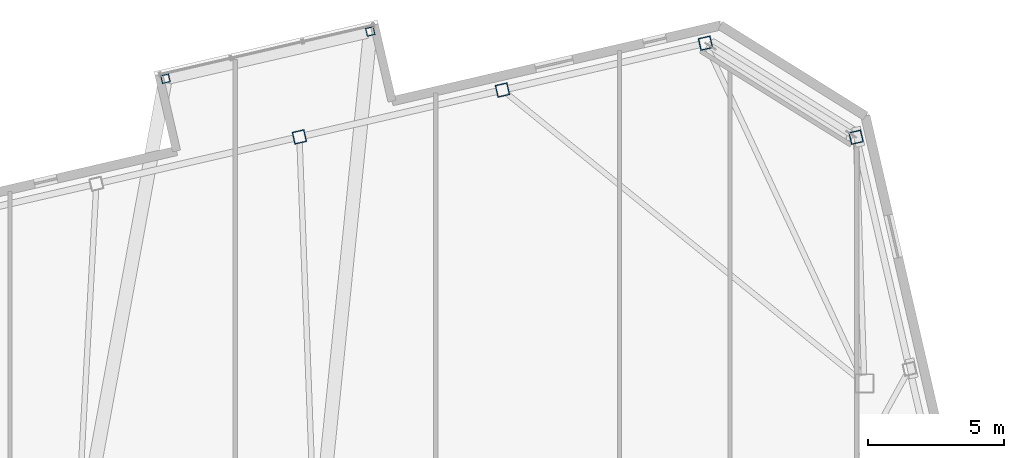
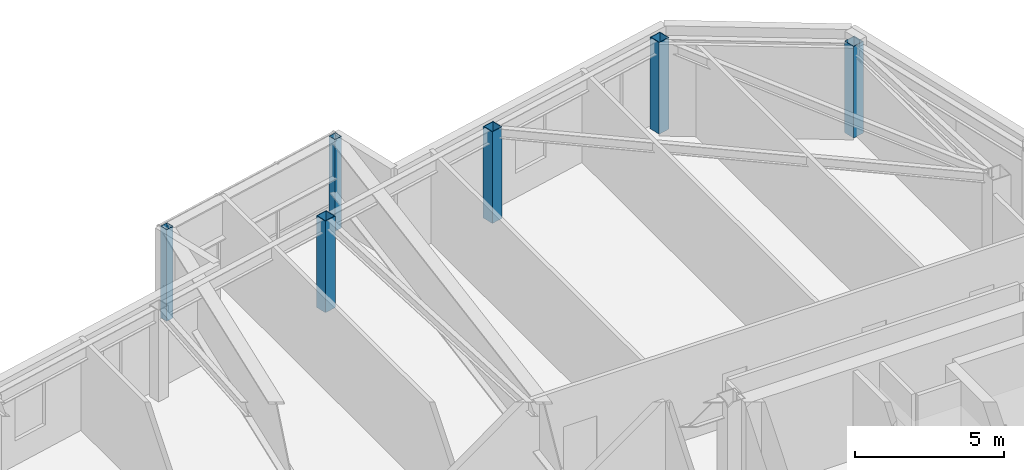
# One storey, part 3 of 24: 6 columns.
"""IFC4 building model written with IfcOpenShell, lengths in metres."""

from ifc_helpers import new_model, si_unit, direction, frame, origin, origin_2d, place, context, subcontext, project, spatial, hollow_rectangle, extrude, material, material_profile, profile_set, type_object, element, save


model = new_model("IFC4")

# Units and contexts
model_context = context("Model", 3, precision=1e-05, world=origin(), true_north=direction((0.0, 1.0)))
body_context = subcontext(model_context, "Body", "Model", "MODEL_VIEW")
ifc_project = project(units=[si_unit("LENGTHUNIT", "METRE"), si_unit("AREAUNIT", "SQUARE_METRE"), si_unit("VOLUMEUNIT", "CUBIC_METRE"), si_unit("PLANEANGLEUNIT", "RADIAN"), si_unit("MASSUNIT", "GRAM", prefix="KILO")], contexts=[model_context])

# Site, building, storey
site_placement = place(None, origin())
site = spatial("IfcSite", under=ifc_project, at=site_placement, CompositionType="ELEMENT")
building_placement = place(site_placement, origin())
building = spatial("IfcBuilding", under=site, at=building_placement, Name="Tavrogorsk Clinical Tower", CompositionType="ELEMENT")
storey_placement = place(building_placement, frame((0.0, 0.0, 309.0)))
storey = spatial("IfcBuildingStorey", under=building, at=storey_placement, Name="L72", CompositionType="ELEMENT", Elevation=309.0)

# Columns
ifc_material_1 = material(Name="Structural steel S390", Category="steel")
ifc_material_profile_1 = material_profile(ifc_material_1, hollow_rectangle(XDim=0.300048828125, YDim=0.300048828125, WallThickness=0.01611328125, at=origin_2d()), Name="SHS-300x300x16")
ifc_profile_set_1 = profile_set([ifc_material_profile_1], Name="Structural steel S390")
column_type_1 = type_object("IfcColumnType", Name="DayroomCol_SHS300", PredefinedType="COLUMN", material=ifc_profile_set_1)
for number, where, z_axis, x_axis, name in (
    (1, (-1.10205078125, 24.362548828125, 0.0), (0.0, 0.0, 1.0), (0.974370064785, 0.224951054344, 0.0), "L72 Day-Room Box Column DRB-10-L"),
    (2, (6.400634765625, 26.0947265625, 0.0), (0.0, 0.0, 1.0), (0.974370064785, 0.224951054344, 0.0), "L72 Day-Room Box Column DRB-10-R"),
):
    element("IfcColumn", number, at=place(storey_placement, frame(where, z_axis=z_axis, x_axis=x_axis)), inside=storey, type_object=column_type_1, Name=name, PredefinedType="COLUMN", context=body_context, shape_type="SweptSolid", body=[
        extrude(hollow_rectangle(XDim=0.300048828125, YDim=0.300048828125, WallThickness=0.01611328125, at=origin_2d()), origin(), (0.0, 0.0, 1.0), 3.739990234375),
    ])
ifc_material_2 = material(Name="Structural steel S440", Category="steel")
ifc_material_profile_2 = material_profile(ifc_material_2, hollow_rectangle(XDim=0.449951171875, YDim=0.449951171875, WallThickness=0.02197265625, at=origin_2d()), Name="BOX-450x450x22")
ifc_profile_set_2 = profile_set([ifc_material_profile_2], Name="Structural steel S440")
column_type_2 = type_object("IfcColumnType", Name="PerimCol_B5_BOX450", PredefinedType="COLUMN", material=ifc_profile_set_2)
for number, where, z_axis, x_axis, name in (
    (3, (18.681640625, 25.666259765625, 0.0), (0.0, 0.0, 1.0), (0.974370064785, 0.224951054344, 0.0), "L72 Perimeter Column N1"),
    (4, (11.2431640625, 23.948974609375, 0.0), (0.0, 0.0, 1.0), (0.974370064785, 0.224951054344, 0.0), "L72 Perimeter Column N2"),
    (5, (3.804443359375, 22.231689453125, 0.0), (0.0, 0.0, 1.0), (0.974370064785, 0.224951054344, 0.0), "L72 Perimeter Column N3"),
    (6, (24.198486328125, 22.218994140625, 0.0), (0.0, 0.0, 1.0), (0.974370064785, 0.224951054344, 0.0), "L72 Perimeter Column E5"),
):
    element("IfcColumn", number, at=place(storey_placement, frame(where, z_axis=z_axis, x_axis=x_axis)), inside=storey, type_object=column_type_2, Name=name, PredefinedType="COLUMN", context=body_context, shape_type="SweptSolid", body=[
        extrude(hollow_rectangle(XDim=0.449951171875, YDim=0.449951171875, WallThickness=0.02197265625, at=origin_2d()), origin(), (0.0, 0.0, 1.0), 3.739990234375),
    ])

save(model, "model.ifc")
